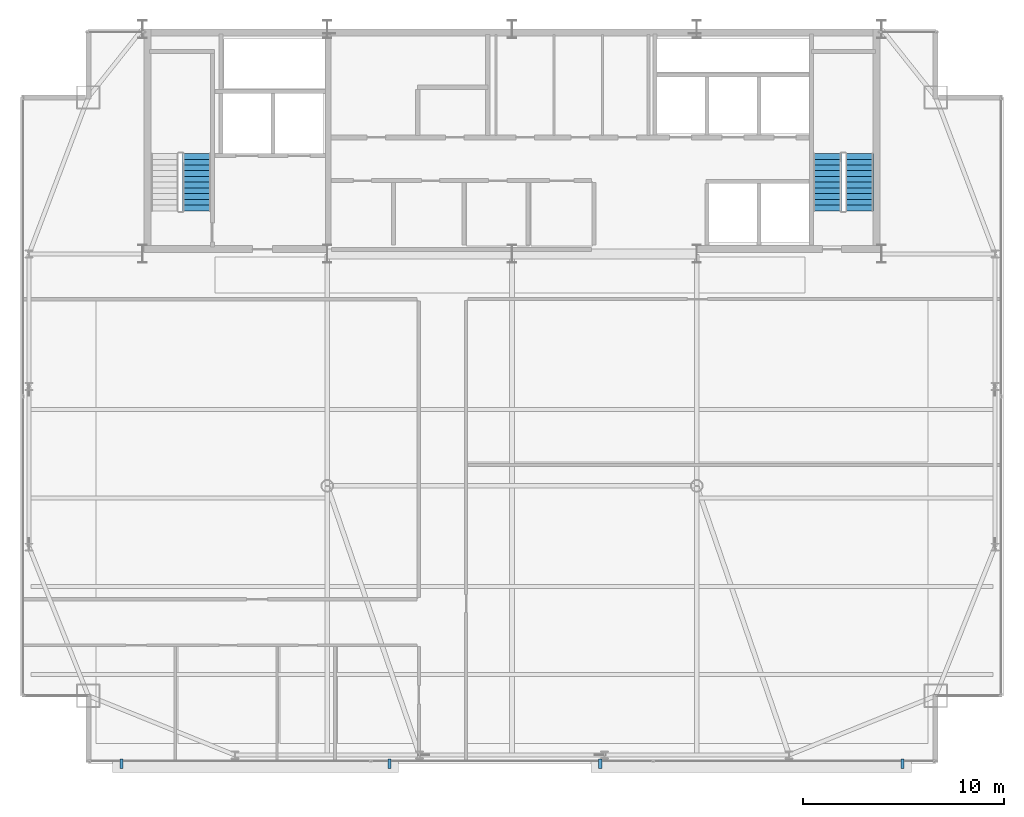
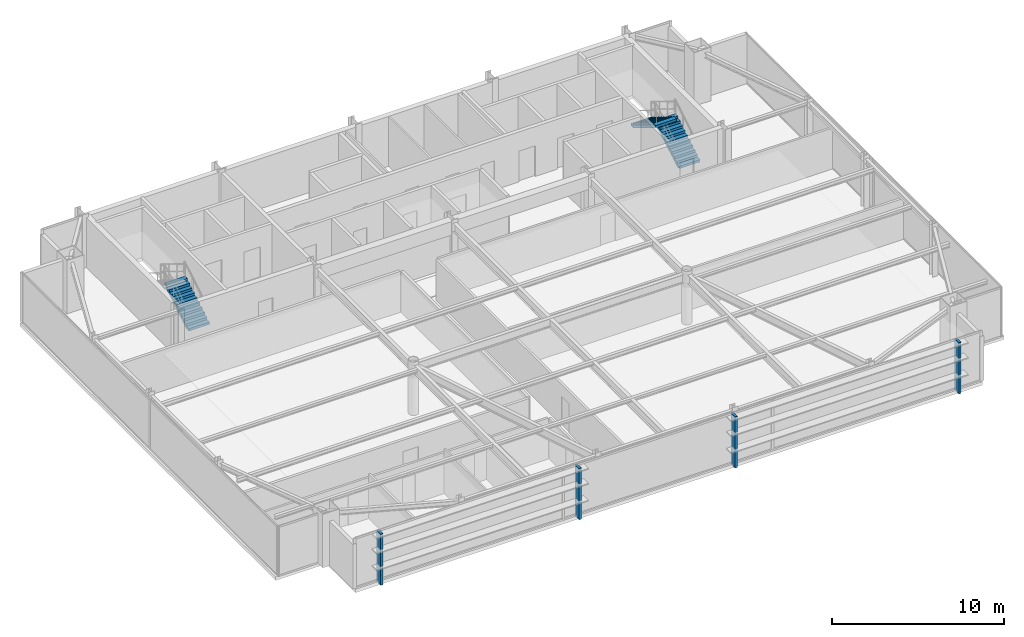
# One storey, part 24 of 25: 4 discrete accessories, 3 stair flights, 2 elements without a shape of their own.
"""IFC4 building model written with IfcOpenShell, lengths in metres."""

from ifc_helpers import new_model, si_unit, direction, frame, origin, origin_2d, place, context, subcontext, project, spatial, polyline, rectangle, outline, extrude, source, transform, mapped, material, layer, layer_set, type_object, type_shapes, element, aggregate, save


model = new_model("IFC4")

# Units and contexts
model_context = context("Model", 3, precision=1e-05, world=origin(), true_north=direction((0.0, 1.0)))
body_context = subcontext(model_context, "Body", "Model", "MODEL_VIEW")
ifc_project = project(units=[si_unit("LENGTHUNIT", "METRE"), si_unit("AREAUNIT", "SQUARE_METRE"), si_unit("VOLUMEUNIT", "CUBIC_METRE"), si_unit("PLANEANGLEUNIT", "RADIAN"), si_unit("MASSUNIT", "GRAM", prefix="KILO")], contexts=[model_context])

# Site, building, storey
site_placement = place(None, origin())
site = spatial("IfcSite", under=ifc_project, at=site_placement, CompositionType="ELEMENT")
building_placement = place(site_placement, origin())
building = spatial("IfcBuilding", under=site, at=building_placement, Name="Varnel Quay Broadcast Tower", CompositionType="ELEMENT")
storey_placement = place(building_placement, frame((0.0, 0.0, 250.800048828125)))
storey = spatial("IfcBuildingStorey", under=building, at=storey_placement, Name="L62", CompositionType="ELEMENT", Elevation=250.800048828125)

# Stair, stair flight
ifc_material_1 = material(Name="Precast Structural Concrete C40/50", Category="concrete")
stair_type_1 = type_object("IfcStairType", Name="Stair_ST-01", PredefinedType="HALF_TURN_STAIR", material=ifc_material_1)
stair_1_placement = place(storey_placement, origin())
stair_1 = element("IfcStair", 1, at=stair_1_placement, inside=storey, type_object=stair_type_1, Name="L62 West Core Exit Stair 1", PredefinedType="HALF_TURN_STAIR")
stair_flight_type_1 = type_object("IfcStairFlightType", Name="Flight_ST-01", PredefinedType="STRAIGHT", material=ifc_material_1)
stair_flight_1_placement = place(storey_placement, frame((18.300048828125, 37.75, 0.0), z_axis=(0.0, 0.0, 1.0), x_axis=(0.0, 1.0, 0.0)))
stair_flight_1 = element("IfcStairFlight", 2, at=stair_flight_1_placement, type_object=stair_flight_type_1, Name="ST-01 flight 1", NumberOfRisers=11, NumberOfTreads=10, PredefinedType="STRAIGHT", RiserHeight=0.172727273, TreadLength=0.285, context=body_context, shape_type="SweptSolid", body=[
    extrude(outline(polyline([(0.0, 0.0), (0.0, 0.172607421875), (0.284912109375, 0.172607421875), (0.284912109375, 0.345458984375), (0.570068359375, 0.345458984375), (0.570068359375, 0.51806640625), (0.85498046875, 0.51806640625), (0.85498046875, 0.69091796875), (1.139892578125, 0.69091796875), (1.139892578125, 0.863525390625), (1.425048828125, 0.863525390625), (1.425048828125, 1.036376953125), (1.7099609375, 1.036376953125), (1.7099609375, 1.208984375), (1.9951171875, 1.208984375), (1.9951171875, 1.3818359375), (2.280029296875, 1.3818359375), (2.280029296875, 1.554443359375), (2.56494140625, 1.554443359375), (2.56494140625, 1.727294921875), (2.85009765625, 1.727294921875), (2.85009765625, 1.89990234375), (2.85009765625, 1.552001953125), (0.289306640625, 0.0), (0.0, 0.0)])), frame((0.0, 0.699951171875, 0.0), z_axis=(0.0, -1.0, 0.0), x_axis=(1.0, 0.0, 0.0)), (0.0, 0.0, 1.0), 1.39990234375),
])
aggregate(stair_1, [stair_flight_1])

# Stair, stair flights
stair_type_2 = type_object("IfcStairType", Name="Stair_ST-02", PredefinedType="HALF_TURN_STAIR", material=ifc_material_1)
stair_2_placement = place(storey_placement, origin())
stair_2 = element("IfcStair", 3, at=stair_2_placement, inside=storey, type_object=stair_type_2, Name="L62 East Core Exit Stair 2", PredefinedType="HALF_TURN_STAIR")
stair_flight_type_2 = type_object("IfcStairFlightType", Name="Flight_ST-02", PredefinedType="STRAIGHT", material=ifc_material_1)
stair_flight_2_placement = place(storey_placement, frame((51.300048828125, 37.75, 0.0), z_axis=(0.0, 0.0, 1.0), x_axis=(0.0, 1.0, 0.0)))
stair_flight_2 = element("IfcStairFlight", 4, at=stair_flight_2_placement, type_object=stair_flight_type_2, Name="ST-02 flight 1", NumberOfRisers=11, NumberOfTreads=10, PredefinedType="STRAIGHT", RiserHeight=0.172727273, TreadLength=0.285, context=body_context, shape_type="SweptSolid", body=[
    extrude(outline(polyline([(0.0, 0.0), (0.0, 0.172607421875), (0.284912109375, 0.172607421875), (0.284912109375, 0.345458984375), (0.570068359375, 0.345458984375), (0.570068359375, 0.51806640625), (0.85498046875, 0.51806640625), (0.85498046875, 0.69091796875), (1.139892578125, 0.69091796875), (1.139892578125, 0.863525390625), (1.425048828125, 0.863525390625), (1.425048828125, 1.036376953125), (1.7099609375, 1.036376953125), (1.7099609375, 1.208984375), (1.9951171875, 1.208984375), (1.9951171875, 1.3818359375), (2.280029296875, 1.3818359375), (2.280029296875, 1.554443359375), (2.56494140625, 1.554443359375), (2.56494140625, 1.727294921875), (2.85009765625, 1.727294921875), (2.85009765625, 1.89990234375), (2.85009765625, 1.552001953125), (0.289306640625, 0.0), (0.0, 0.0)])), frame((0.0, 0.699951171875, 0.0), z_axis=(0.0, -1.0, 0.0), x_axis=(1.0, 0.0, 0.0)), (0.0, 0.0, 1.0), 1.39990234375),
])
stair_flight_3_placement = place(storey_placement, frame((49.699951171875, 40.60009765625, 1.89990234375), z_axis=(0.0, 0.0, 1.0), x_axis=(0.0, -1.0, 0.0)))
stair_flight_3 = element("IfcStairFlight", 5, at=stair_flight_3_placement, type_object=stair_flight_type_2, Name="ST-02 flight 2", NumberOfRisers=11, NumberOfTreads=10, PredefinedType="STRAIGHT", RiserHeight=0.172727273, TreadLength=0.285, context=body_context, shape_type="SweptSolid", body=[
    extrude(outline(polyline([(0.0, 0.0), (0.0, 0.172607421875), (0.284912109375, 0.172607421875), (0.284912109375, 0.345458984375), (0.570068359375, 0.345458984375), (0.570068359375, 0.51806640625), (0.85498046875, 0.51806640625), (0.85498046875, 0.69091796875), (1.139892578125, 0.69091796875), (1.139892578125, 0.863525390625), (1.425048828125, 0.863525390625), (1.425048828125, 1.036376953125), (1.7099609375, 1.036376953125), (1.7099609375, 1.208984375), (1.9951171875, 1.208984375), (1.9951171875, 1.3818359375), (2.280029296875, 1.3818359375), (2.280029296875, 1.554443359375), (2.56494140625, 1.554443359375), (2.56494140625, 1.727294921875), (2.85009765625, 1.727294921875), (2.85009765625, 1.89990234375), (2.85009765625, 1.552001953125), (0.289306640625, 0.0), (0.0, 0.0)])), frame((0.0, 0.699951171875, 0.0), z_axis=(0.0, -1.0, 0.0), x_axis=(1.0, 0.0, 0.0)), (0.0, 0.0, 1.0), 1.39990234375),
])
aggregate(stair_2, [stair_flight_2, stair_flight_3])

# Discrete accessories
ifc_material_2 = material(Name="Anodised Bronze Aluminium 6063-T6", Category="aluminium")
ifc_layer = layer(ifc_material_2, 0.47998046875, Name="Anodised Bronze Aluminium 6063-T6")
ifc_layer_set = layer_set([ifc_layer], Name="Anodised Bronze Aluminium 6063-T6")
discrete_accessory_type = type_object("IfcDiscreteAccessoryType", Name="Acc_FacadeBracket", PredefinedType="BRACKET", material=ifc_layer_set)
shared_shape = source(origin(), body_context, "Body", "SweptSolid", [
    extrude(rectangle(XDim=0.159912109375, YDim=0.47998046875, at=origin_2d()), origin(), (0.0, 0.0, 1.0), 3.64990234375),
])
type_shapes(discrete_accessory_type, [shared_shape])
for number, where, z_axis, x_axis, name in (
    (6, (14.550048828125, 10.219970703125, -0.14990234375), (0.0, 0.0, 1.0), (1.0, 0.0, 0.0), "L62 Lobe 1 Louvre Support Bracket 1"),
    (7, (27.89404296875, 10.219970703125, -0.14990234375), (0.0, 0.0, 1.0), (1.0, 0.0, 0.0), "L62 Lobe 1 Louvre Support Bracket 2"),
    (8, (38.39404296875, 10.219970703125, -0.14990234375), (0.0, 0.0, 1.0), (1.0, 0.0, 0.0), "L62 Lobe 2 Louvre Support Bracket 1"),
    (9, (53.449951171875, 10.219970703125, -0.14990234375), (0.0, 0.0, 1.0), (1.0, 0.0, 0.0), "L62 Lobe 2 Louvre Support Bracket 2"),
):
    element("IfcDiscreteAccessory", number, at=place(storey_placement, frame(where, z_axis=z_axis, x_axis=x_axis)), inside=storey, type_object=discrete_accessory_type, Name=name, PredefinedType="BRACKET", context=body_context, shape_type="MappedRepresentation", body=[
        mapped(shared_shape, transform((0.0, 0.0, 0.0), x_axis=(1.0, 0.0, 0.0), y_axis=(0.0, 1.0, 0.0), z_axis=(0.0, 0.0, 1.0), scale=1.0)),
    ])

save(model, "model.ifc")
